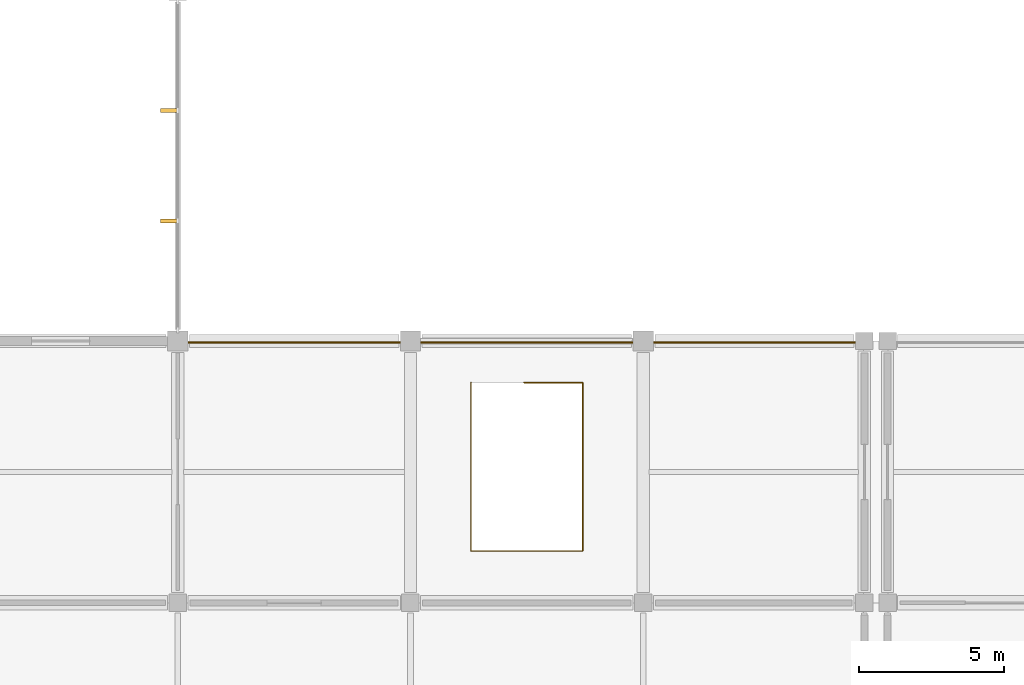
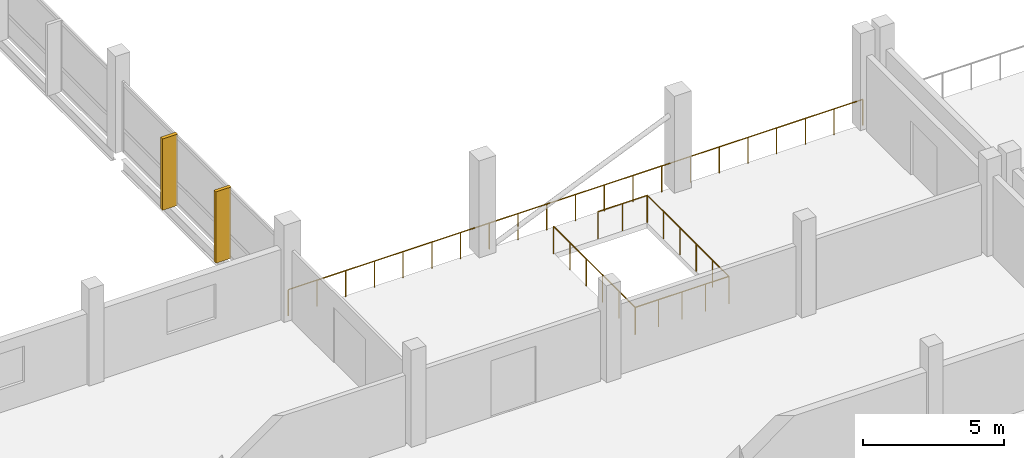
# One storey, part 53 of 57: 2 railings, 2 shading devices.
"""IFC4 building model written with IfcOpenShell, lengths in metres."""

from ifc_helpers import new_model, si_unit, direction, frame, origin, origin_2d, place, context, subcontext, project, spatial, rectangle, circle, extrude, material, type_object, element, save


model = new_model("IFC4")

# Units and contexts
model_context = context("Model", 3, precision=1e-05, world=origin(), true_north=direction((0.0, 1.0)))
body_context = subcontext(model_context, "Body", "Model", "MODEL_VIEW")
ifc_project = project(units=[si_unit("LENGTHUNIT", "METRE"), si_unit("AREAUNIT", "SQUARE_METRE"), si_unit("VOLUMEUNIT", "CUBIC_METRE"), si_unit("PLANEANGLEUNIT", "RADIAN"), si_unit("MASSUNIT", "GRAM", prefix="KILO"), si_unit("THERMODYNAMICTEMPERATUREUNIT", "KELVIN"), si_unit("POWERUNIT", "WATT")], contexts=[model_context])

# Site, building, storey
site_placement = place(None, origin())
site = spatial("IfcSite", under=ifc_project, at=site_placement, CompositionType="ELEMENT")
building_placement = place(site_placement, origin())
building = spatial("IfcBuilding", under=site, at=building_placement, Name="Kronsvod Quay Wholesale Market", CompositionType="ELEMENT")
storey_placement = place(building_placement, frame((0.0, 0.0, 4.800048828125)))
storey = spatial("IfcBuildingStorey", under=building, at=storey_placement, Name="L01", CompositionType="ELEMENT", Elevation=4.800048828125)

# Railings
ifc_material_1 = material(Name="Stainless steel and laminated glass", Category="steel")
railing_type_1 = type_object("IfcRailingType", Name="Railing_Balustrade1150", PredefinedType="BALUSTRADE", material=ifc_material_1)
railing_1_placement = place(storey_placement, frame((104.0, 53.949951171875, 0.0)))
element("IfcRailing", 1, at=railing_1_placement, inside=storey, type_object=railing_type_1, Name="GRD-L01-V2S", PredefinedType="BALUSTRADE", context=body_context, shape_type="SweptSolid", body=[
    extrude(circle(Radius=0.02392578125, at=origin_2d()), frame((0.0, 0.0, 1.1259765625), z_axis=(1.0, 0.0, 0.0), x_axis=(0.0, 1.0, 0.0)), (0.0, 0.0, 1.0), 23.550048828125),
    extrude(circle(Radius=0.02099609375, at=origin_2d()), origin(), (0.0, 0.0, 1.0), 1.101806640625),
    extrude(circle(Radius=0.02099609375, at=origin_2d()), frame((1.177490234375, 0.0, 0.0)), (0.0, 0.0, 1.0), 1.101806640625),
    extrude(circle(Radius=0.02099609375, at=origin_2d()), frame((2.35498046875, 0.0, 0.0)), (0.0, 0.0, 1.0), 1.101806640625),
    extrude(circle(Radius=0.02099609375, at=origin_2d()), frame((3.532470703125, 0.0, 0.0)), (0.0, 0.0, 1.0), 1.101806640625),
    extrude(circle(Radius=0.02099609375, at=origin_2d()), frame((4.7099609375, 0.0, 0.0)), (0.0, 0.0, 1.0), 1.101806640625),
    extrude(circle(Radius=0.02099609375, at=origin_2d()), frame((5.887451171875, 0.0, 0.0)), (0.0, 0.0, 1.0), 1.101806640625),
    extrude(circle(Radius=0.02099609375, at=origin_2d()), frame((7.06494140625, 0.0, 0.0)), (0.0, 0.0, 1.0), 1.101806640625),
    extrude(circle(Radius=0.02099609375, at=origin_2d()), frame((8.242431640625, 0.0, 0.0)), (0.0, 0.0, 1.0), 1.101806640625),
    extrude(circle(Radius=0.02099609375, at=origin_2d()), frame((9.419921875, 0.0, 0.0)), (0.0, 0.0, 1.0), 1.101806640625),
    extrude(circle(Radius=0.02099609375, at=origin_2d()), frame((10.597412109375, 0.0, 0.0)), (0.0, 0.0, 1.0), 1.101806640625),
    extrude(circle(Radius=0.02099609375, at=origin_2d()), frame((11.77490234375, 0.0, 0.0)), (0.0, 0.0, 1.0), 1.101806640625),
    extrude(circle(Radius=0.02099609375, at=origin_2d()), frame((12.95263671875, 0.0, 0.0)), (0.0, 0.0, 1.0), 1.101806640625),
    extrude(circle(Radius=0.02099609375, at=origin_2d()), frame((14.130126953125, 0.0, 0.0)), (0.0, 0.0, 1.0), 1.101806640625),
    extrude(circle(Radius=0.02099609375, at=origin_2d()), frame((15.3076171875, 0.0, 0.0)), (0.0, 0.0, 1.0), 1.101806640625),
    extrude(circle(Radius=0.02099609375, at=origin_2d()), frame((16.485107421875, 0.0, 0.0)), (0.0, 0.0, 1.0), 1.101806640625),
    extrude(circle(Radius=0.02099609375, at=origin_2d()), frame((17.66259765625, 0.0, 0.0)), (0.0, 0.0, 1.0), 1.101806640625),
    extrude(circle(Radius=0.02099609375, at=origin_2d()), frame((18.840087890625, 0.0, 0.0)), (0.0, 0.0, 1.0), 1.101806640625),
    extrude(circle(Radius=0.02099609375, at=origin_2d()), frame((20.017578125, 0.0, 0.0)), (0.0, 0.0, 1.0), 1.101806640625),
    extrude(circle(Radius=0.02099609375, at=origin_2d()), frame((21.195068359375, 0.0, 0.0)), (0.0, 0.0, 1.0), 1.101806640625),
    extrude(circle(Radius=0.02099609375, at=origin_2d()), frame((22.37255859375, 0.0, 0.0)), (0.0, 0.0, 1.0), 1.101806640625),
    extrude(circle(Radius=0.02099609375, at=origin_2d()), frame((23.550048828125, 0.0, 0.0)), (0.0, 0.0, 1.0), 1.101806640625),
])
ifc_material_2 = material(Name="Stainless steel", Category="steel")
railing_type_2 = type_object("IfcRailingType", Name="Railing_Guard1200", PredefinedType="GUARDRAIL", material=ifc_material_2)
railing_2_placement = place(storey_placement, frame((115.89990234375, 52.570068359375, 0.0)))
element("IfcRailing", 2, at=railing_2_placement, inside=storey, type_object=railing_type_2, Name="ST-GAL-E1-L01-GRD", PredefinedType="GUARDRAIL", context=body_context, shape_type="SweptSolid", body=[
    extrude(circle(Radius=0.02392578125, at=origin_2d()), frame((0.0, 0.0, 1.17578125), z_axis=(1.0, 0.0, 0.0), x_axis=(0.0, 1.0, 0.0)), (0.0, 0.0, 1.0), 2.02001953125),
    extrude(circle(Radius=0.02392578125, at=origin_2d()), frame((2.02001953125, 0.0, 1.17578125), z_axis=(0.0, -1.0, 0.0), x_axis=(1.0, 0.0, 0.0)), (0.0, 0.0, 1.0), 5.7900390625),
    extrude(circle(Radius=0.02392578125, at=origin_2d()), frame((2.02001953125, -5.7900390625, 1.17578125), z_axis=(-1.0, 0.0, 0.0), x_axis=(0.0, -1.0, 0.0)), (0.0, 0.0, 1.0), 3.83984375),
    extrude(circle(Radius=0.02392578125, at=origin_2d()), frame((-1.81982421875, -5.7900390625, 1.17578125), z_axis=(0.0, 1.0, 0.0), x_axis=(-1.0, 0.0, 0.0)), (0.0, 0.0, 1.0), 5.7900390625),
    extrude(circle(Radius=0.02099609375, at=origin_2d()), origin(), (0.0, 0.0, 1.0), 1.15185546875),
    extrude(circle(Radius=0.02099609375, at=origin_2d()), frame((1.010009765625, 0.0, 0.0)), (0.0, 0.0, 1.0), 1.15185546875),
    extrude(circle(Radius=0.02099609375, at=origin_2d()), frame((2.02001953125, 0.0, 0.0)), (0.0, 0.0, 1.0), 1.15185546875),
    extrude(circle(Radius=0.02099609375, at=origin_2d()), frame((2.02001953125, -1.157958984375, 0.0)), (0.0, 0.0, 1.0), 1.15185546875),
    extrude(circle(Radius=0.02099609375, at=origin_2d()), frame((2.02001953125, -2.31591796875, 0.0)), (0.0, 0.0, 1.0), 1.15185546875),
    extrude(circle(Radius=0.02099609375, at=origin_2d()), frame((2.02001953125, -3.47412109375, 0.0)), (0.0, 0.0, 1.0), 1.15185546875),
    extrude(circle(Radius=0.02099609375, at=origin_2d()), frame((2.02001953125, -4.632080078125, 0.0)), (0.0, 0.0, 1.0), 1.15185546875),
    extrude(circle(Radius=0.02099609375, at=origin_2d()), frame((2.02001953125, -5.7900390625, 0.0)), (0.0, 0.0, 1.0), 1.15185546875),
    extrude(circle(Radius=0.02099609375, at=origin_2d()), frame((1.06005859375, -5.7900390625, 0.0)), (0.0, 0.0, 1.0), 1.15185546875),
    extrude(circle(Radius=0.02099609375, at=origin_2d()), frame((0.10009765625, -5.7900390625, 0.0)), (0.0, 0.0, 1.0), 1.15185546875),
    extrude(circle(Radius=0.02099609375, at=origin_2d()), frame((-0.85986328125, -5.7900390625, 0.0)), (0.0, 0.0, 1.0), 1.15185546875),
    extrude(circle(Radius=0.02099609375, at=origin_2d()), frame((-1.81982421875, -5.7900390625, 0.0)), (0.0, 0.0, 1.0), 1.15185546875),
    extrude(circle(Radius=0.02099609375, at=origin_2d()), frame((-1.81982421875, -4.632080078125, 0.0)), (0.0, 0.0, 1.0), 1.15185546875),
    extrude(circle(Radius=0.02099609375, at=origin_2d()), frame((-1.81982421875, -3.47412109375, 0.0)), (0.0, 0.0, 1.0), 1.15185546875),
    extrude(circle(Radius=0.02099609375, at=origin_2d()), frame((-1.81982421875, -2.31591796875, 0.0)), (0.0, 0.0, 1.0), 1.15185546875),
    extrude(circle(Radius=0.02099609375, at=origin_2d()), frame((-1.81982421875, -1.157958984375, 0.0)), (0.0, 0.0, 1.0), 1.15185546875),
    extrude(circle(Radius=0.02099609375, at=origin_2d()), frame((-1.81982421875, 0.0, 0.0)), (0.0, 0.0, 1.0), 1.15185546875),
])

# Shading devices
ifc_material_3 = material(Name="Anodised aluminium", Category="aluminium")
shading_device_type = type_object("IfcShadingDeviceType", Name="Shade_SolarFin", PredefinedType="AWNING", material=ifc_material_3)
for number, where, z_axis, x_axis, name in (
    (3, (103.719970703125, 58.131591796875, -0.02001953125), (0.0, 0.0, 1.0), (1.0, 0.0, 0.0), "SHDF-CWGY-L01-1040-540-581"),
    (4, (103.719970703125, 61.918212890625, -0.02001953125), (0.0, 0.0, 1.0), (1.0, 0.0, 0.0), "SHDF-CWGY-L01-1040-540-619"),
):
    element("IfcShadingDevice", number, at=place(storey_placement, frame(where, z_axis=z_axis, x_axis=x_axis)), inside=storey, type_object=shading_device_type, Name=name, PredefinedType="AWNING", context=body_context, shape_type="SweptSolid", body=[
        extrude(rectangle(XDim=0.6201171875, YDim=0.139892578125, at=origin_2d()), origin(), (0.0, 0.0, 1.0), 3.090087890625),
    ])

save(model, "model.ifc")
